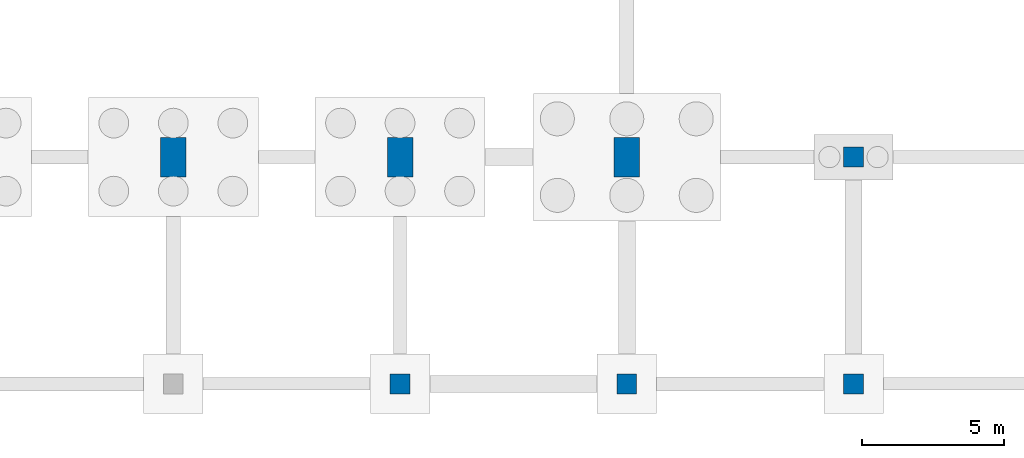
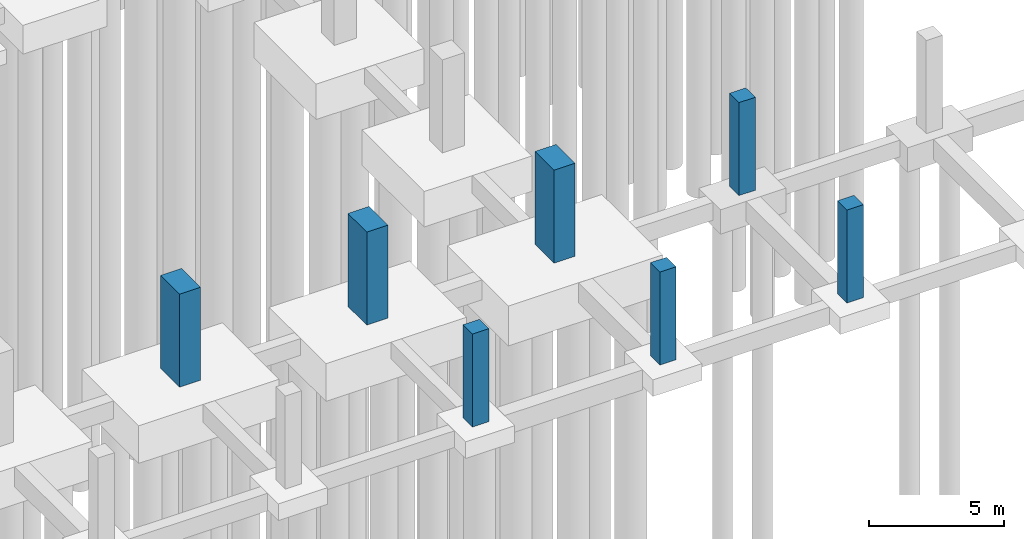
# One storey, part 12 of 32: 7 columns.
"""IFC4 building model written with IfcOpenShell, lengths in metres."""

from ifc_helpers import new_model, si_unit, direction, frame, origin, origin_2d, place, context, subcontext, project, spatial, rectangle, extrude, material, material_profile, profile_set, type_object, element, save


model = new_model("IFC4")

# Units and contexts
model_context = context("Model", 3, precision=1e-05, world=origin(), true_north=direction((0.0, 1.0)))
body_context = subcontext(model_context, "Body", "Model", "MODEL_VIEW")
ifc_project = project(units=[si_unit("LENGTHUNIT", "METRE"), si_unit("AREAUNIT", "SQUARE_METRE"), si_unit("VOLUMEUNIT", "CUBIC_METRE"), si_unit("PLANEANGLEUNIT", "RADIAN"), si_unit("MASSUNIT", "GRAM", prefix="KILO")], contexts=[model_context])

# Site, building, storey
site_placement = place(None, origin())
site = spatial("IfcSite", under=ifc_project, at=site_placement, CompositionType="ELEMENT")
building_placement = place(site_placement, origin())
building = spatial("IfcBuilding", under=site, at=building_placement, Name="Tenunan Teduh Sports Hall", CompositionType="ELEMENT")
storey_placement = place(building_placement, frame((0.0, 0.0, -4.199951171875)))
storey = spatial("IfcBuildingStorey", under=building, at=storey_placement, Name="B1", CompositionType="ELEMENT", Elevation=-4.199951171875)

# Columns
ifc_material_1 = material(Name="Concrete C40/50", Category="concrete")
ifc_material_profile_1 = material_profile(ifc_material_1, rectangle(XDim=0.699951171875, YDim=0.699951171875, at=origin_2d()), Name="RC 700x700")
ifc_profile_set_1 = profile_set([ifc_material_profile_1], Name="Concrete C40/50")
column_type_1 = type_object("IfcColumnType", Name="COL-RC-700", PredefinedType="COLUMN", material=ifc_profile_set_1)
for number, where, z_axis, x_axis, name in (
    (1, (46.0, 6.0, 0.0), (0.0, 0.0, 1.0), (1.0, 0.0, 0.0), "COL-C-07-B1-061"),
    (2, (54.0, 6.0, 0.0), (0.0, 0.0, 1.0), (1.0, 0.0, 0.0), "COL-C-07-B1-071"),
    (3, (62.0, 6.0, 0.0), (0.0, 0.0, 1.0), (1.0, 0.0, 0.0), "COL-C-07-B1-085"),
    (4, (62.0, 14.0, 0.0), (0.0, 0.0, 1.0), (1.0, 0.0, 0.0), "COL-C-07-B1-086"),
):
    element("IfcColumn", number, at=place(storey_placement, frame(where, z_axis=z_axis, x_axis=x_axis)), inside=storey, type_object=column_type_1, Name=name, PredefinedType="COLUMN", context=body_context, shape_type="SweptSolid", body=[
        extrude(rectangle(XDim=0.699951171875, YDim=0.699951171875, at=origin_2d()), origin(), (0.0, 0.0, 1.0), 4.199951171875),
    ])
ifc_material_2 = material(Name="Concrete C40/50", Category="concrete")
ifc_material_profile_2 = material_profile(ifc_material_2, rectangle(XDim=0.89990234375, YDim=1.39990234375, at=origin_2d()), Name="RC 900x1400")
ifc_profile_set_2 = profile_set([ifc_material_profile_2], Name="Concrete C40/50")
column_type_2 = type_object("IfcColumnType", Name="COL-RC-900x1400", PredefinedType="COLUMN", material=ifc_profile_set_2)
for number, where, z_axis, x_axis, name in (
    (5, (38.0, 14.0, 0.0), (0.0, 0.0, 1.0), (1.0, 0.0, 0.0), "COL-C-13-B1-052"),
    (6, (46.0, 14.0, 0.0), (0.0, 0.0, 1.0), (1.0, 0.0, 0.0), "COL-C-13-B1-062"),
    (7, (54.0, 14.0, 0.0), (0.0, 0.0, 1.0), (1.0, 0.0, 0.0), "COL-C-13-B1-072"),
):
    element("IfcColumn", number, at=place(storey_placement, frame(where, z_axis=z_axis, x_axis=x_axis)), inside=storey, type_object=column_type_2, Name=name, PredefinedType="COLUMN", context=body_context, shape_type="SweptSolid", body=[
        extrude(rectangle(XDim=0.89990234375, YDim=1.39990234375, at=origin_2d()), origin(), (0.0, 0.0, 1.0), 4.199951171875),
    ])

save(model, "model.ifc")
